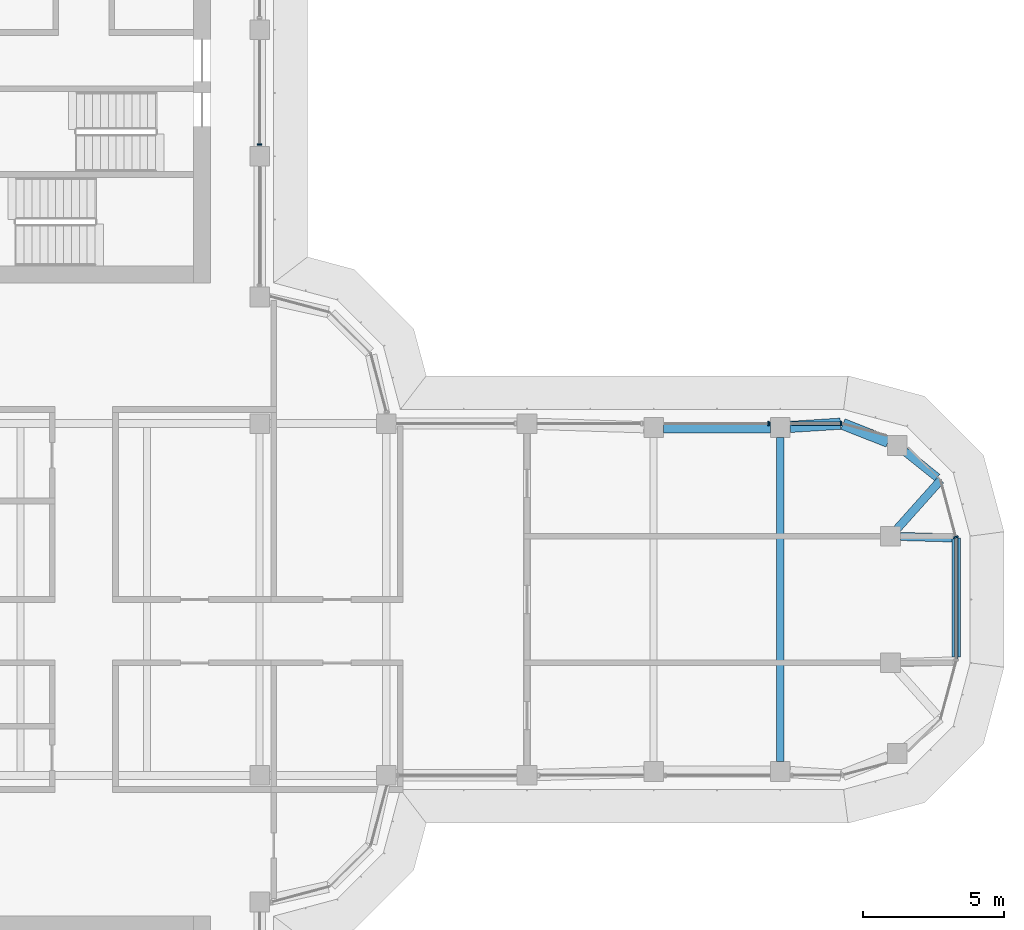
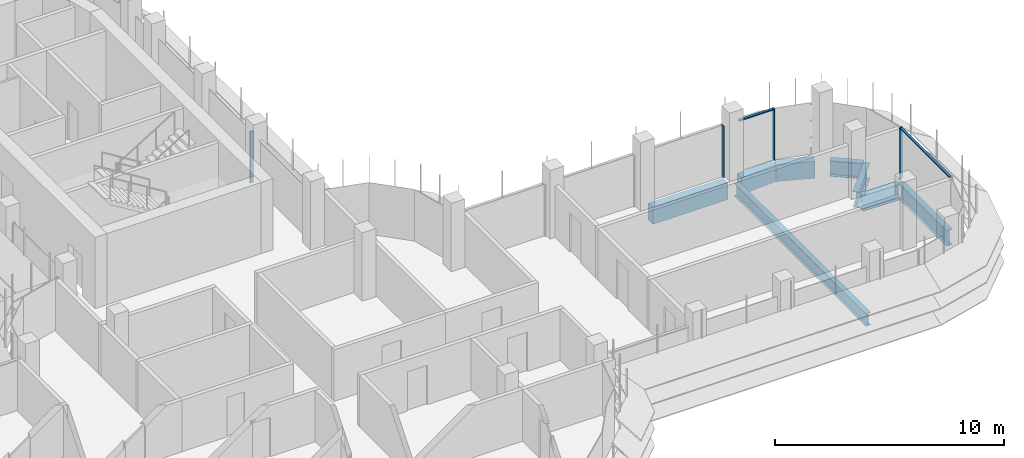
# One storey, part 9 of 19: 8 beams, 6 members, 4 elements without a shape of their own.
"""IFC4 building model written with IfcOpenShell, lengths in metres."""

from ifc_helpers import new_model, si_unit, direction, frame, origin, origin_2d, place, context, subcontext, project, spatial, polyline, rectangle, i_section, outline, extrude, source, transform, mapped, material, material_profile, profile_set, type_object, element, aggregate, save


model = new_model("IFC4")

# Units and contexts
model_context = context("Model", 3, precision=1e-05, world=origin(), true_north=direction((0.0, 1.0)))
body_context = subcontext(model_context, "Body", "Model", "MODEL_VIEW")
ifc_project = project(units=[si_unit("LENGTHUNIT", "METRE"), si_unit("AREAUNIT", "SQUARE_METRE"), si_unit("VOLUMEUNIT", "CUBIC_METRE"), si_unit("PLANEANGLEUNIT", "RADIAN"), si_unit("MASSUNIT", "GRAM", prefix="KILO")], contexts=[model_context])

# Site, building, storey
site_placement = place(None, origin())
site = spatial("IfcSite", under=ifc_project, at=site_placement, CompositionType="ELEMENT")
building_placement = place(site_placement, origin())
building = spatial("IfcBuilding", under=site, at=building_placement, Name="Zarbagh Exchange Tower", CompositionType="ELEMENT")
storey_placement = place(building_placement, frame((0.0, 0.0, 203.0)))
storey = spatial("IfcBuildingStorey", under=building, at=storey_placement, Name="L49", CompositionType="ELEMENT", Elevation=203.0)

# Beams
ifc_material_1 = material(Name="Steel ASTM A992 Gr 50", Category="steel")
ifc_material_profile_1 = material_profile(ifc_material_1, i_section(OverallWidth=0.25390625, OverallDepth=0.67822265625, WebThickness=0.01171875, FlangeThickness=0.016357421875, at=origin_2d()), Name="W27X84")
ifc_profile_set_1 = profile_set([ifc_material_profile_1], Name="Steel ASTM A992 Gr 50")
beam_type_1 = type_object("IfcBeamType", Name="Floor beam W27X84", PredefinedType="BEAM", material=ifc_profile_set_1)
beam_1_placement = place(storey_placement, frame((24.75, -5.760009765625, -0.489013671875), z_axis=(0.0, 1.0, 0.0), x_axis=(-1.0, 0.0, 0.0)))
element("IfcBeam", 1, at=beam_1_placement, inside=storey, type_object=beam_type_1, Name="Steel floor beam", PredefinedType="BEAM", context=body_context, shape_type="SweptSolid", body=[
    extrude(i_section(OverallWidth=0.25390625, OverallDepth=0.67822265625, WebThickness=0.01171875, FlangeThickness=0.016357421875, at=origin_2d()), origin(), (0.0, 0.0, 1.0), 11.52001953125),
])
ifc_material_profile_2 = material_profile(ifc_material_1, i_section(OverallWidth=0.2919921875, OverallDepth=0.835693359375, WebThickness=0.013916015625, FlangeThickness=0.018798828125, at=origin_2d()), Name="W33X118")
ifc_profile_set_2 = profile_set([ifc_material_profile_2], Name="Steel ASTM A992 Gr 50")
beam_type_2 = type_object("IfcBeamType", Name="Floor girder W33X118", PredefinedType="BEAM", material=ifc_profile_set_2)
beam_2_placement = place(storey_placement, frame((29.18115234375, 5.256103515625, -0.56787109375), z_axis=(0.780625690962, -0.624998824487, 0.0), x_axis=(0.624998824487, 0.780625690962, 0.0)))
element("IfcBeam", 2, at=beam_2_placement, inside=storey, type_object=beam_type_2, Name="Steel girder", PredefinedType="BEAM", context=body_context, shape_type="SweptSolid", body=[
    extrude(i_section(OverallWidth=0.2919921875, OverallDepth=0.835693359375, WebThickness=0.013916015625, FlangeThickness=0.018798828125, at=origin_2d()), origin(), (0.0, 0.0, 1.0), 1.469970703125),
])
beam_3_placement = place(storey_placement, frame((30.44873046875, 4.2412109375, -0.56787109375), z_axis=(-0.66615169279, -0.745816279115, 0.0), x_axis=(0.745816279115, -0.66615169279, 0.0)))
element("IfcBeam", 3, at=beam_3_placement, inside=storey, type_object=beam_type_2, Name="Steel girder", PredefinedType="BEAM", context=body_context, shape_type="SweptSolid", body=[
    extrude(i_section(OverallWidth=0.2919921875, OverallDepth=0.835693359375, WebThickness=0.013916015625, FlangeThickness=0.018798828125, at=origin_2d()), origin(), (0.0, 0.0, 1.0), 2.31982421875),
])
beam_4_placement = place(storey_placement, frame((29.02001953125, 2.239990234375, -0.56787109375), z_axis=(0.999603805015, -0.028146633904, 0.0), x_axis=(0.028146633904, 0.999603805015, 0.0)))
element("IfcBeam", 4, at=beam_4_placement, inside=storey, type_object=beam_type_2, Name="Steel girder", PredefinedType="BEAM", context=body_context, shape_type="SweptSolid", body=[
    extrude(i_section(OverallWidth=0.2919921875, OverallDepth=0.835693359375, WebThickness=0.013916015625, FlangeThickness=0.018798828125, at=origin_2d()), origin(), (0.0, 0.0, 1.0), 1.8388671875),
])
beam_5_placement = place(storey_placement, frame((31.0, 2.18408203125, -0.56787109375), z_axis=(0.0, -1.0, 0.0), x_axis=(1.0, 0.0, 0.0)))
element("IfcBeam", 5, at=beam_5_placement, inside=storey, type_object=beam_type_2, Name="Steel girder", PredefinedType="BEAM", context=body_context, shape_type="SweptSolid", body=[
    extrude(i_section(OverallWidth=0.2919921875, OverallDepth=0.835693359375, WebThickness=0.013916015625, FlangeThickness=0.018798828125, at=origin_2d()), origin(), (0.0, 0.0, 1.0), 4.226318359375),
])
ifc_material_2 = material(Name="Concrete C50/60", Category="concrete")
ifc_material_profile_3 = material_profile(ifc_material_2, rectangle(XDim=0.39990234375, YDim=0.89990234375, at=origin_2d()), Name="RC spandrel beam 400 x 900 C50/60")
ifc_profile_set_3 = profile_set([ifc_material_profile_3], Name="Concrete C50/60")
beam_type_3 = type_object("IfcBeamType", Name="RC spandrel beam 400 x 900 C50/60", PredefinedType="SPANDREL", material=ifc_profile_set_3)
beam_6_placement = place(storey_placement, frame((20.60009765625, 6.110107421875, -0.60009765625), z_axis=(1.0, 0.0, 0.0), x_axis=(0.0, 1.0, 0.0)))
element("IfcBeam", 6, at=beam_6_placement, inside=storey, type_object=beam_type_3, Name="RC spandrel beam", PredefinedType="SPANDREL", context=body_context, shape_type="SweptSolid", body=[
    extrude(rectangle(XDim=0.39990234375, YDim=0.89990234375, at=origin_2d()), origin(), (0.0, 0.0, 1.0), 3.7998046875),
])
beam_7_placement = place(storey_placement, frame((25.099365234375, 6.13232421875, -0.60009765625), z_axis=(0.997943601797, 0.064098109429, 0.0), x_axis=(-0.064098109429, 0.997943601797, 0.0)))
element("IfcBeam", 7, at=beam_7_placement, inside=storey, type_object=beam_type_3, Name="RC spandrel beam", PredefinedType="SPANDREL", context=body_context, shape_type="SweptSolid", body=[
    extrude(rectangle(XDim=0.39990234375, YDim=0.89990234375, at=origin_2d()), origin(), (0.0, 0.0, 1.0), 1.7939453125),
])
beam_8_placement = place(storey_placement, frame((26.9755859375, 6.233642578125, -0.60009765625), z_axis=(0.930818525178, -0.365481700207, 0.0), x_axis=(0.365481700207, 0.930818525178, 0.0)))
element("IfcBeam", 8, at=beam_8_placement, inside=storey, type_object=beam_type_3, Name="RC spandrel beam", PredefinedType="SPANDREL", context=body_context, shape_type="SweptSolid", body=[
    extrude(rectangle(XDim=0.39990234375, YDim=0.89990234375, at=origin_2d()), origin(), (0.0, 0.0, 1.0), 1.72607421875),
])

# Curtain wall, member
ifc_material_3 = material(Name="Anodised aluminium frame and glazing", Category="aluminium")
curtain_wall_type = type_object("IfcCurtainWallType", Name="CWB Ribbon glazing, upper zones", PredefinedType="NOTDEFINED", material=ifc_material_3)
curtain_wall_1_placement = place(storey_placement, origin())
curtain_wall_1 = element("IfcCurtainWall", 9, at=curtain_wall_1_placement, inside=storey, type_object=curtain_wall_type, Name="CWB13 curtain wall", PredefinedType="NOTDEFINED")
ifc_material_4 = material(Name="Anodised aluminium frame", Category="aluminium")
member_type_1 = type_object("IfcMemberType", Name="MUB Mullion, anodised aluminium frame", PredefinedType="MULLION", material=ifc_material_4)
shared_shape_1 = source(origin(), body_context, "Body", "SweptSolid", [
    extrude(outline(polyline([(0.0, -0.080078125), (0.06005859375, -0.080078125), (0.06005859375, 0.080078125), (0.0, 0.080078125), (0.0, -0.080078125)])), origin(), (0.0, 0.0, 1.0), 2.75),
])
placement = place(storey_placement, origin())
member_1 = element("IfcMember", 10, at=placement, type_object=member_type_1, Name="CWB13 mullion 1.1", PredefinedType="MULLION", context=body_context, shape_type="MappedRepresentation", body=[
    mapped(shared_shape_1, transform((31.0, 2.18408203125, 0.0), x_axis=(-0.258824779902, 0.965924289636, 0.0), y_axis=(-0.965924289636, -0.258824779902, 0.0), z_axis=(0.0, 0.0, 1.0))),
])
aggregate(curtain_wall_1, [member_1])

# Curtain wall, members
curtain_wall_2_placement = place(storey_placement, origin())
curtain_wall_2 = element("IfcCurtainWall", 11, at=curtain_wall_2_placement, inside=storey, type_object=curtain_wall_type, Name="CWB16 curtain wall", PredefinedType="NOTDEFINED")
member_2 = element("IfcMember", 12, at=placement, type_object=member_type_1, Name="CWB16 mullion 1.1", PredefinedType="MULLION", context=body_context, shape_type="MappedRepresentation", body=[
    mapped(shared_shape_1, transform((26.93408203125, 6.25, 0.0), x_axis=(-1.0, 0.0, 0.0), y_axis=(0.0, -1.0, 0.0), z_axis=(0.0, 0.0, 1.0))),
])
member_3 = element("IfcMember", 13, at=placement, type_object=member_type_1, Name="CWB16 mullion 2.1", PredefinedType="MULLION", context=body_context, shape_type="MappedRepresentation", body=[
    mapped(shared_shape_1, transform((24.35986328125, 6.25, 0.0), x_axis=(-1.0, 0.0, 0.0), y_axis=(0.0, -1.0, 0.0), z_axis=(0.0, 0.0, 1.0))),
])

# Curtain wall, member
curtain_wall_3_placement = place(storey_placement, origin())
curtain_wall_3 = element("IfcCurtainWall", 14, at=curtain_wall_3_placement, inside=storey, type_object=curtain_wall_type, Name="CWB20 curtain wall", PredefinedType="NOTDEFINED")
member_4 = element("IfcMember", 15, at=placement, type_object=member_type_1, Name="CWB20 mullion 2.1", PredefinedType="MULLION", context=body_context, shape_type="MappedRepresentation", body=[
    mapped(shared_shape_1, transform((6.25, 16.14013671875, 0.0), x_axis=(0.0, 1.0, 0.0), y_axis=(-1.0, 0.0, 0.0), z_axis=(0.0, 0.0, 1.0))),
])
aggregate(curtain_wall_3, [member_4])

# Member
member_type_2 = type_object("IfcMemberType", Name="TRB Transom, anodised aluminium frame", PredefinedType="USERDEFINED", material=ifc_material_4)
shared_shape_2 = source(origin(), body_context, "Body", "SweptSolid", [
    extrude(outline(polyline([(-0.06005859375, -0.06005859375), (0.0, -0.06005859375), (0.0, 0.06005859375), (-0.06005859375, 0.06005859375), (-0.06005859375, -0.06005859375)])), origin(), (0.0, 0.0, 1.0), 1.734130859375),
])
member_5 = element("IfcMember", 16, at=placement, type_object=member_type_2, Name="CWB16 transom 1.1", ObjectType="TRANSOM", PredefinedType="USERDEFINED", context=body_context, shape_type="MappedRepresentation", body=[
    mapped(shared_shape_2, transform((26.874267578125, 6.25, 2.75), x_axis=(0.0, 0.0, 1.0), y_axis=(0.0, 1.0, 0.0), z_axis=(-1.0, 0.0, 0.0))),
])

aggregate(curtain_wall_2, [member_2, member_5, member_3])

# Curtain wall, member
curtain_wall_4_placement = place(storey_placement, origin())
curtain_wall_4 = element("IfcCurtainWall", 17, at=curtain_wall_4_placement, inside=storey, type_object=curtain_wall_type, Name="CWB12 curtain wall", PredefinedType="NOTDEFINED")
shared_shape_3 = source(origin(), body_context, "Body", "SweptSolid", [
    extrude(outline(polyline([(-0.06005859375, -0.06005859375), (0.0, -0.06005859375), (0.0, 0.06005859375), (-0.06005859375, 0.06005859375), (-0.06005859375, -0.06005859375)])), origin(), (0.0, 0.0, 1.0), 4.308349609375),
])
member_6 = element("IfcMember", 18, at=placement, type_object=member_type_2, Name="CWB12 transom 1.1", ObjectType="TRANSOM", PredefinedType="USERDEFINED", context=body_context, shape_type="MappedRepresentation", body=[
    mapped(shared_shape_3, transform((31.0, -2.124267578125, 2.75), x_axis=(0.0, 0.0, 1.0), y_axis=(1.0, 0.0, 0.0), z_axis=(0.0, 1.0, 0.0))),
])
aggregate(curtain_wall_4, [member_6])

save(model, "model.ifc")
